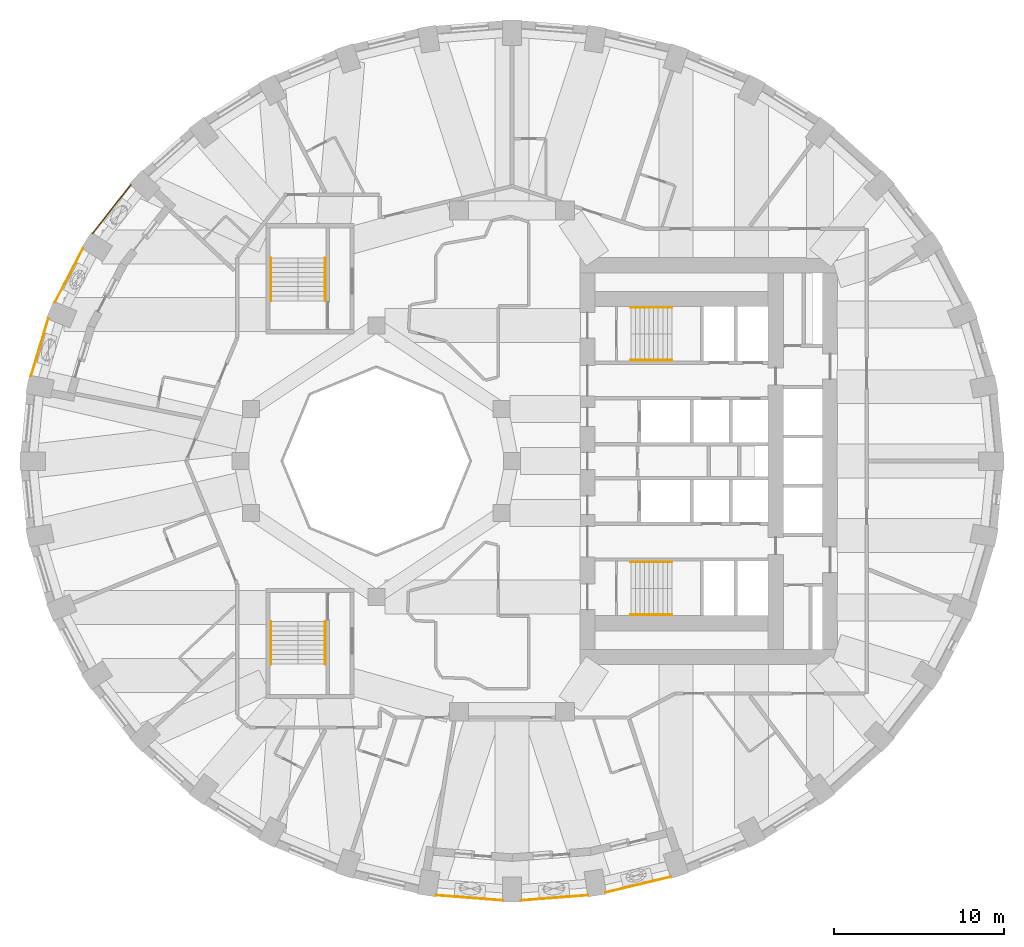
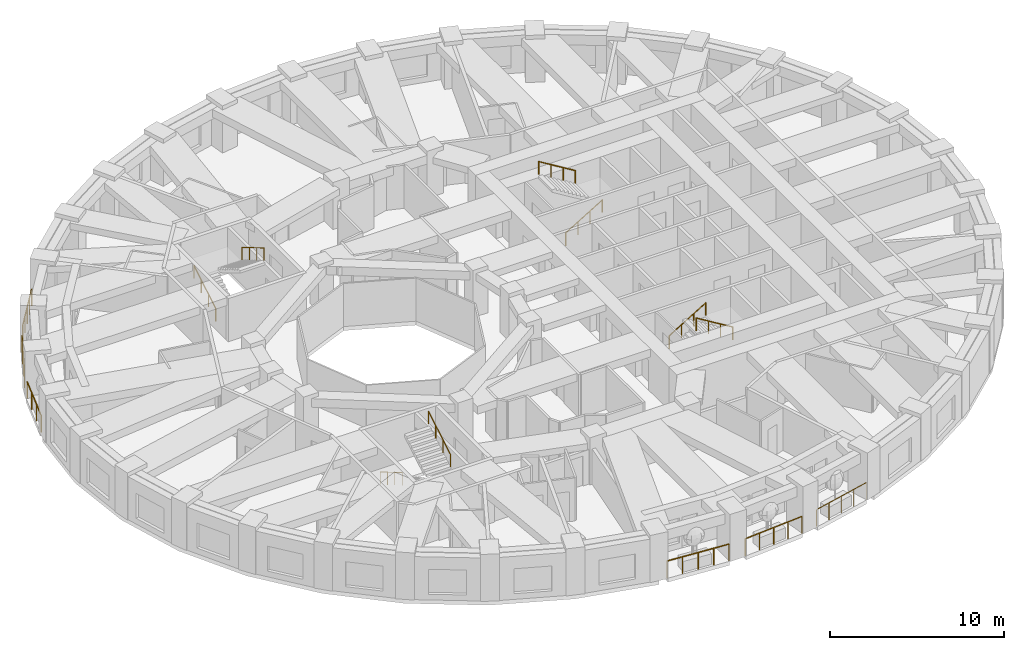
# One storey, part 11 of 13: 14 railings.
"""IFC4 building model written with IfcOpenShell, lengths in metres."""

from ifc_helpers import new_model, si_unit, direction, frame, origin, origin_2d, place, context, subcontext, project, spatial, circle, extrude, material, type_object, element, save


model = new_model("IFC4")

# Units and contexts
model_context = context("Model", 3, precision=1e-05, world=origin(), true_north=direction((0.0, 1.0)))
body_context = subcontext(model_context, "Body", "Model", "MODEL_VIEW")
ifc_project = project(units=[si_unit("LENGTHUNIT", "METRE"), si_unit("AREAUNIT", "SQUARE_METRE"), si_unit("VOLUMEUNIT", "CUBIC_METRE"), si_unit("PLANEANGLEUNIT", "RADIAN"), si_unit("MASSUNIT", "GRAM", prefix="KILO")], contexts=[model_context])

# Site, building, storey
site_placement = place(None, origin())
site = spatial("IfcSite", under=ifc_project, at=site_placement, CompositionType="ELEMENT")
building_placement = place(site_placement, origin())
building = spatial("IfcBuilding", under=site, at=building_placement, Name="Taillehof Tower", CompositionType="ELEMENT")
storey_placement = place(building_placement, frame((0.0, 0.0, 77.800048828125)))
storey = spatial("IfcBuildingStorey", under=building, at=storey_placement, Name="L21", CompositionType="ELEMENT", Elevation=77.800048828125)

# Railings
ifc_material_1 = material(Name="Stainless steel balustrade", Category="steel")
railing_type_1 = type_object("IfcRailingType", Name="Balcony guard 1200", PredefinedType="GUARDRAIL", material=ifc_material_1)
railing_1_placement = place(storey_placement, frame((-4.483154296875, -25.589111328125, 0.0)))
element("IfcRailing", 1, at=railing_1_placement, inside=storey, type_object=railing_type_1, Name="Balcony guard L21 bay 27", PredefinedType="GUARDRAIL", context=body_context, shape_type="SweptSolid", body=[
    extrude(circle(Radius=0.02392578125, at=origin_2d()), frame((0.0, 0.0, 1.17578125), z_axis=(0.996952571778, -0.078010061045, 0.0), x_axis=(0.078010061045, 0.996952571778, 0.0)), (0.0, 0.0, 1.0), 3.965087890625),
    extrude(circle(Radius=0.02099609375, at=origin_2d()), origin(), (0.0, 0.0, 1.0), 1.15185546875),
    extrude(circle(Radius=0.02099609375, at=origin_2d()), frame((0.98828125, -0.077392578125, 0.0)), (0.0, 0.0, 1.0), 1.15185546875),
    extrude(circle(Radius=0.02099609375, at=origin_2d()), frame((1.9765625, -0.15478515625, 0.0)), (0.0, 0.0, 1.0), 1.15185546875),
    extrude(circle(Radius=0.02099609375, at=origin_2d()), frame((2.96484375, -0.23193359375, 0.0)), (0.0, 0.0, 1.0), 1.15185546875),
    extrude(circle(Radius=0.02099609375, at=origin_2d()), frame((3.953125, -0.309326171875, 0.0)), (0.0, 0.0, 1.0), 1.15185546875),
])
railing_2_placement = place(storey_placement, frame((0.530029296875, -25.8984375, 0.0)))
element("IfcRailing", 2, at=railing_2_placement, inside=storey, type_object=railing_type_1, Name="Balcony guard L21 bay 28", PredefinedType="GUARDRAIL", context=body_context, shape_type="SweptSolid", body=[
    extrude(circle(Radius=0.02392578125, at=origin_2d()), frame((0.0, 0.0, 1.17578125), z_axis=(0.996952571778, 0.078010061045, 0.0), x_axis=(-0.078010061045, 0.996952571778, 0.0)), (0.0, 0.0, 1.0), 3.965087890625),
    extrude(circle(Radius=0.02099609375, at=origin_2d()), origin(), (0.0, 0.0, 1.0), 1.15185546875),
    extrude(circle(Radius=0.02099609375, at=origin_2d()), frame((0.98828125, 0.077392578125, 0.0)), (0.0, 0.0, 1.0), 1.15185546875),
    extrude(circle(Radius=0.02099609375, at=origin_2d()), frame((1.9765625, 0.15478515625, 0.0)), (0.0, 0.0, 1.0), 1.15185546875),
    extrude(circle(Radius=0.02099609375, at=origin_2d()), frame((2.96484375, 0.23193359375, 0.0)), (0.0, 0.0, 1.0), 1.15185546875),
    extrude(circle(Radius=0.02099609375, at=origin_2d()), frame((3.953125, 0.309326171875, 0.0)), (0.0, 0.0, 1.0), 1.15185546875),
])
railing_3_placement = place(storey_placement, frame((5.5302734375, -25.423828125, 0.0)))
element("IfcRailing", 3, at=railing_3_placement, inside=storey, type_object=railing_type_1, Name="Balcony guard L21 bay 29", PredefinedType="GUARDRAIL", context=body_context, shape_type="SweptSolid", body=[
    extrude(circle(Radius=0.02392578125, at=origin_2d()), frame((0.0, 0.0, 1.17578125), z_axis=(0.972495275648, 0.232922602687, 0.0), x_axis=(-0.232922602687, 0.972495275648, 0.0)), (0.0, 0.0, 1.0), 3.93701171875),
    extrude(circle(Radius=0.02099609375, at=origin_2d()), origin(), (0.0, 0.0, 1.0), 1.15185546875),
    extrude(circle(Radius=0.02099609375, at=origin_2d()), frame((0.95703125, 0.229248046875, 0.0)), (0.0, 0.0, 1.0), 1.15185546875),
    extrude(circle(Radius=0.02099609375, at=origin_2d()), frame((1.914306640625, 0.45849609375, 0.0)), (0.0, 0.0, 1.0), 1.15185546875),
    extrude(circle(Radius=0.02099609375, at=origin_2d()), frame((2.87158203125, 0.687744140625, 0.0)), (0.0, 0.0, 1.0), 1.15185546875),
    extrude(circle(Radius=0.02099609375, at=origin_2d()), frame((3.82861328125, 0.9169921875, 0.0)), (0.0, 0.0, 1.0), 1.15185546875),
])
railing_4_placement = place(storey_placement, frame((-22.472412109375, 16.28271484375, 0.0)))
element("IfcRailing", 4, at=railing_4_placement, inside=storey, type_object=railing_type_1, Name="Balcony guard L21 bay 15", PredefinedType="GUARDRAIL", context=body_context, shape_type="SweptSolid", body=[
    extrude(circle(Radius=0.02392578125, at=origin_2d()), frame((0.0, 0.0, 1.17578125), z_axis=(-0.616653661131, -0.787234566196, 0.0), x_axis=(0.787234566196, -0.616653661131, 0.0)), (0.0, 0.0, 1.0), 3.6396484375),
    extrude(circle(Radius=0.02099609375, at=origin_2d()), origin(), (0.0, 0.0, 1.0), 1.15185546875),
    extrude(circle(Radius=0.02099609375, at=origin_2d()), frame((-0.56103515625, -0.71630859375, 0.0)), (0.0, 0.0, 1.0), 1.15185546875),
    extrude(circle(Radius=0.02099609375, at=origin_2d()), frame((-1.1220703125, -1.4326171875, 0.0)), (0.0, 0.0, 1.0), 1.15185546875),
    extrude(circle(Radius=0.02099609375, at=origin_2d()), frame((-1.683349609375, -2.14892578125, 0.0)), (0.0, 0.0, 1.0), 1.15185546875),
    extrude(circle(Radius=0.02099609375, at=origin_2d()), frame((-2.244384765625, -2.865234375, 0.0)), (0.0, 0.0, 1.0), 1.15185546875),
])
railing_5_placement = place(storey_placement, frame((-25.291259765625, 12.526611328125, 0.0)))
element("IfcRailing", 5, at=railing_5_placement, inside=storey, type_object=railing_type_1, Name="Balcony guard L21 bay 16", PredefinedType="GUARDRAIL", context=body_context, shape_type="SweptSolid", body=[
    extrude(circle(Radius=0.02392578125, at=origin_2d()), frame((0.0, 0.0, 1.17578125), z_axis=(-0.462523854419, -0.886606837382, 0.0), x_axis=(0.886606837382, -0.462523854419, 0.0)), (0.0, 0.0, 1.0), 3.56298828125),
    extrude(circle(Radius=0.02099609375, at=origin_2d()), origin(), (0.0, 0.0, 1.0), 1.15185546875),
    extrude(circle(Radius=0.02099609375, at=origin_2d()), frame((-0.54931640625, -1.052978515625, 0.0)), (0.0, 0.0, 1.0), 1.15185546875),
    extrude(circle(Radius=0.02099609375, at=origin_2d()), frame((-1.0986328125, -2.10595703125, 0.0)), (0.0, 0.0, 1.0), 1.15185546875),
    extrude(circle(Radius=0.02099609375, at=origin_2d()), frame((-1.64794921875, -3.158935546875, 0.0)), (0.0, 0.0, 1.0), 1.15185546875),
])
railing_6_placement = place(storey_placement, frame((-27.33837890625, 8.385498046875, 0.0)))
element("IfcRailing", 6, at=railing_6_placement, inside=storey, type_object=railing_type_1, Name="Balcony guard L21 bay 17", PredefinedType="GUARDRAIL", context=body_context, shape_type="SweptSolid", body=[
    extrude(circle(Radius=0.02392578125, at=origin_2d()), frame((0.0, 0.0, 1.17578125), z_axis=(-0.287098668231, -0.957901015085, 0.0), x_axis=(0.957901015085, -0.287098668231, 0.0)), (0.0, 0.0, 1.0), 3.505126953125),
    extrude(circle(Radius=0.02099609375, at=origin_2d()), origin(), (0.0, 0.0, 1.0), 1.15185546875),
    extrude(circle(Radius=0.02099609375, at=origin_2d()), frame((-0.33544921875, -1.119140625, 0.0)), (0.0, 0.0, 1.0), 1.15185546875),
    extrude(circle(Radius=0.02099609375, at=origin_2d()), frame((-0.6708984375, -2.238525390625, 0.0)), (0.0, 0.0, 1.0), 1.15185546875),
    extrude(circle(Radius=0.02099609375, at=origin_2d()), frame((-1.00634765625, -3.357666015625, 0.0)), (0.0, 0.0, 1.0), 1.15185546875),
])
ifc_material_2 = material(Name="Stainless steel", Category="steel")
railing_type_2 = type_object("IfcRailingType", Name="Stair handrail 900", PredefinedType="HANDRAIL", material=ifc_material_2)
railing_7_placement = place(storey_placement, frame((7.0, 5.949951171875, 0.1650390625)))
element("IfcRailing", 7, at=railing_7_placement, inside=storey, type_object=railing_type_2, Name="Stair S1 handrail", PredefinedType="HANDRAIL", context=body_context, shape_type="SweptSolid", body=[
    extrude(circle(Radius=0.02392578125, at=origin_2d()), frame((0.0, 0.0, 0.8759765625), z_axis=(0.853296667938, 0.0, 0.521425734392), x_axis=(0.0, 1.0, 0.0)), (0.0, 0.0, 1.0), 2.84765625),
    extrude(circle(Radius=0.02099609375, at=origin_2d()), origin(), (0.0, 0.0, 1.0), 0.851806640625),
    extrude(circle(Radius=0.02099609375, at=origin_2d()), frame((0.81005859375, 0.0, 0.494873046875)), (0.0, 0.0, 1.0), 0.851806640625),
    extrude(circle(Radius=0.02099609375, at=origin_2d()), frame((1.619873046875, 0.0, 0.989990234375)), (0.0, 0.0, 1.0), 0.851806640625),
    extrude(circle(Radius=0.02099609375, at=origin_2d()), frame((2.429931640625, 0.0, 1.48486328125)), (0.0, 0.0, 1.0), 0.851806640625),
])
railing_8_placement = place(storey_placement, frame((9.429931640625, 9.050048828125, 1.81494140625)))
element("IfcRailing", 8, at=railing_8_placement, inside=storey, type_object=railing_type_2, Name="Stair S1 handrail", PredefinedType="HANDRAIL", context=body_context, shape_type="SweptSolid", body=[
    extrude(circle(Radius=0.02392578125, at=origin_2d()), frame((0.0, 0.0, 0.8759765625), z_axis=(-0.853258522278, 0.0, 0.521488153423), x_axis=(0.0, -1.0, 0.0)), (0.0, 0.0, 1.0), 2.847900390625),
    extrude(circle(Radius=0.02099609375, at=origin_2d()), origin(), (0.0, 0.0, 1.0), 0.851806640625),
    extrude(circle(Radius=0.02099609375, at=origin_2d()), frame((-0.81005859375, 0.0, 0.4951171875)), (0.0, 0.0, 1.0), 0.851806640625),
    extrude(circle(Radius=0.02099609375, at=origin_2d()), frame((-1.619873046875, 0.0, 0.989990234375)), (0.0, 0.0, 1.0), 0.851806640625),
    extrude(circle(Radius=0.02099609375, at=origin_2d()), frame((-2.429931640625, 0.0, 1.485107421875)), (0.0, 0.0, 1.0), 0.851806640625),
])
railing_9_placement = place(storey_placement, frame((7.0, -5.949951171875, 0.1650390625)))
element("IfcRailing", 9, at=railing_9_placement, inside=storey, type_object=railing_type_2, Name="Stair S2 handrail", PredefinedType="HANDRAIL", context=body_context, shape_type="SweptSolid", body=[
    extrude(circle(Radius=0.02392578125, at=origin_2d()), frame((0.0, 0.0, 0.8759765625), z_axis=(0.853296667938, 0.0, 0.521425734392), x_axis=(0.0, 1.0, 0.0)), (0.0, 0.0, 1.0), 2.84765625),
    extrude(circle(Radius=0.02099609375, at=origin_2d()), origin(), (0.0, 0.0, 1.0), 0.851806640625),
    extrude(circle(Radius=0.02099609375, at=origin_2d()), frame((0.81005859375, 0.0, 0.494873046875)), (0.0, 0.0, 1.0), 0.851806640625),
    extrude(circle(Radius=0.02099609375, at=origin_2d()), frame((1.619873046875, 0.0, 0.989990234375)), (0.0, 0.0, 1.0), 0.851806640625),
    extrude(circle(Radius=0.02099609375, at=origin_2d()), frame((2.429931640625, 0.0, 1.48486328125)), (0.0, 0.0, 1.0), 0.851806640625),
])
railing_10_placement = place(storey_placement, frame((9.429931640625, -9.050048828125, 1.81494140625)))
element("IfcRailing", 10, at=railing_10_placement, inside=storey, type_object=railing_type_2, Name="Stair S2 handrail", PredefinedType="HANDRAIL", context=body_context, shape_type="SweptSolid", body=[
    extrude(circle(Radius=0.02392578125, at=origin_2d()), frame((0.0, 0.0, 0.8759765625), z_axis=(-0.853258522278, 0.0, 0.521488153423), x_axis=(0.0, -1.0, 0.0)), (0.0, 0.0, 1.0), 2.847900390625),
    extrude(circle(Radius=0.02099609375, at=origin_2d()), origin(), (0.0, 0.0, 1.0), 0.851806640625),
    extrude(circle(Radius=0.02099609375, at=origin_2d()), frame((-0.81005859375, 0.0, 0.4951171875)), (0.0, 0.0, 1.0), 0.851806640625),
    extrude(circle(Radius=0.02099609375, at=origin_2d()), frame((-1.619873046875, 0.0, 0.989990234375)), (0.0, 0.0, 1.0), 0.851806640625),
    extrude(circle(Radius=0.02099609375, at=origin_2d()), frame((-2.429931640625, 0.0, 1.485107421875)), (0.0, 0.0, 1.0), 0.851806640625),
])
railing_11_placement = place(storey_placement, frame((-14.199951171875, 9.449951171875, 0.1650390625)))
element("IfcRailing", 11, at=railing_11_placement, inside=storey, type_object=railing_type_2, Name="Stair S3 handrail", PredefinedType="HANDRAIL", context=body_context, shape_type="SweptSolid", body=[
    extrude(circle(Radius=0.02392578125, at=origin_2d()), frame((0.0, 0.0, 0.8759765625), z_axis=(0.0, 0.861560626758, 0.507654692109), x_axis=(-1.0, 0.0, 0.0)), (0.0, 0.0, 1.0), 2.925048828125),
    extrude(circle(Radius=0.02099609375, at=origin_2d()), origin(), (0.0, 0.0, 1.0), 0.851806640625),
    extrude(circle(Radius=0.02099609375, at=origin_2d()), frame((0.0, 0.840087890625, 0.494873046875)), (0.0, 0.0, 1.0), 0.851806640625),
    extrude(circle(Radius=0.02099609375, at=origin_2d()), frame((0.0, 1.679931640625, 0.989990234375)), (0.0, 0.0, 1.0), 0.851806640625),
    extrude(circle(Radius=0.02099609375, at=origin_2d()), frame((0.0, 2.52001953125, 1.48486328125)), (0.0, 0.0, 1.0), 0.851806640625),
])
railing_12_placement = place(storey_placement, frame((-11.0, 11.969970703125, 1.81494140625)))
element("IfcRailing", 12, at=railing_12_placement, inside=storey, type_object=railing_type_2, Name="Stair S3 handrail", PredefinedType="HANDRAIL", context=body_context, shape_type="SweptSolid", body=[
    extrude(circle(Radius=0.02392578125, at=origin_2d()), frame((0.0, 0.0, 0.8759765625), z_axis=(0.0, -0.86152411907, 0.507716645641), x_axis=(1.0, 0.0, 0.0)), (0.0, 0.0, 1.0), 2.925048828125),
    extrude(circle(Radius=0.02099609375, at=origin_2d()), origin(), (0.0, 0.0, 1.0), 0.851806640625),
    extrude(circle(Radius=0.02099609375, at=origin_2d()), frame((0.0, -0.840087890625, 0.4951171875)), (0.0, 0.0, 1.0), 0.851806640625),
    extrude(circle(Radius=0.02099609375, at=origin_2d()), frame((0.0, -1.679931640625, 0.989990234375)), (0.0, 0.0, 1.0), 0.851806640625),
    extrude(circle(Radius=0.02099609375, at=origin_2d()), frame((0.0, -2.52001953125, 1.485107421875)), (0.0, 0.0, 1.0), 0.851806640625),
])
railing_13_placement = place(storey_placement, frame((-14.199951171875, -9.449951171875, 0.1650390625)))
element("IfcRailing", 13, at=railing_13_placement, inside=storey, type_object=railing_type_2, Name="Stair S4 handrail", PredefinedType="HANDRAIL", context=body_context, shape_type="SweptSolid", body=[
    extrude(circle(Radius=0.02392578125, at=origin_2d()), frame((0.0, 0.0, 0.8759765625), z_axis=(0.0, -0.861560626758, 0.507654692109), x_axis=(1.0, 0.0, 0.0)), (0.0, 0.0, 1.0), 2.925048828125),
    extrude(circle(Radius=0.02099609375, at=origin_2d()), origin(), (0.0, 0.0, 1.0), 0.851806640625),
    extrude(circle(Radius=0.02099609375, at=origin_2d()), frame((0.0, -0.840087890625, 0.494873046875)), (0.0, 0.0, 1.0), 0.851806640625),
    extrude(circle(Radius=0.02099609375, at=origin_2d()), frame((0.0, -1.679931640625, 0.989990234375)), (0.0, 0.0, 1.0), 0.851806640625),
    extrude(circle(Radius=0.02099609375, at=origin_2d()), frame((0.0, -2.52001953125, 1.48486328125)), (0.0, 0.0, 1.0), 0.851806640625),
])
railing_14_placement = place(storey_placement, frame((-11.0, -11.969970703125, 1.81494140625)))
element("IfcRailing", 14, at=railing_14_placement, inside=storey, type_object=railing_type_2, Name="Stair S4 handrail", PredefinedType="HANDRAIL", context=body_context, shape_type="SweptSolid", body=[
    extrude(circle(Radius=0.02392578125, at=origin_2d()), frame((0.0, 0.0, 0.8759765625), z_axis=(0.0, 0.86152411907, 0.507716645641), x_axis=(-1.0, 0.0, 0.0)), (0.0, 0.0, 1.0), 2.925048828125),
    extrude(circle(Radius=0.02099609375, at=origin_2d()), origin(), (0.0, 0.0, 1.0), 0.851806640625),
    extrude(circle(Radius=0.02099609375, at=origin_2d()), frame((0.0, 0.840087890625, 0.4951171875)), (0.0, 0.0, 1.0), 0.851806640625),
    extrude(circle(Radius=0.02099609375, at=origin_2d()), frame((0.0, 1.679931640625, 0.989990234375)), (0.0, 0.0, 1.0), 0.851806640625),
    extrude(circle(Radius=0.02099609375, at=origin_2d()), frame((0.0, 2.52001953125, 1.485107421875)), (0.0, 0.0, 1.0), 0.851806640625),
])

save(model, "model.ifc")
